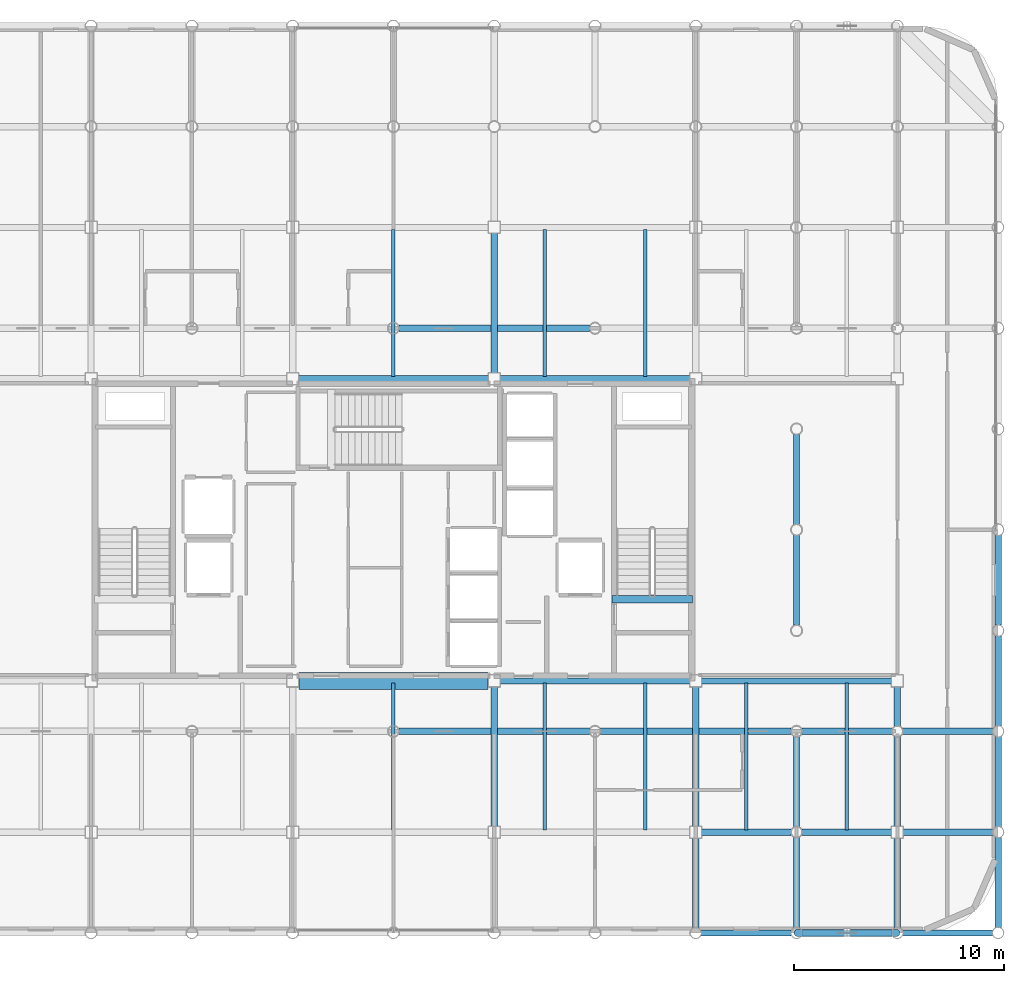
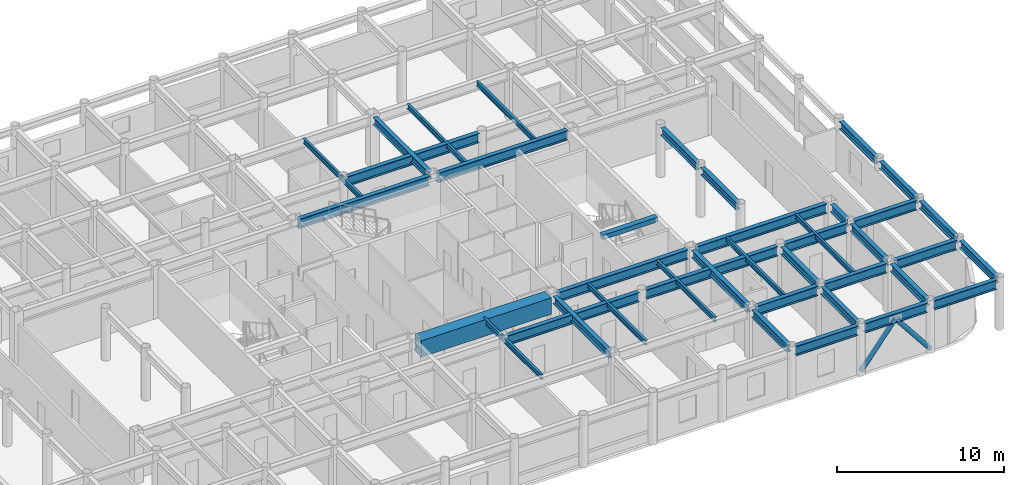
# One storey, part 9 of 22: 40 beams, 2 members.
"""IFC4 building model written with IfcOpenShell, lengths in metres."""

from ifc_helpers import new_model, si_unit, direction, frame, origin, origin_2d, place, context, subcontext, project, spatial, rectangle, hollow_circle, i_section, extrude, material, material_profile, profile_set, type_object, element, save


model = new_model("IFC4")

# Units and contexts
model_context = context("Model", 3, precision=1e-05, world=origin(), true_north=direction((0.0, 1.0)))
body_context = subcontext(model_context, "Body", "Model", "MODEL_VIEW")
ifc_project = project(units=[si_unit("LENGTHUNIT", "METRE"), si_unit("AREAUNIT", "SQUARE_METRE"), si_unit("VOLUMEUNIT", "CUBIC_METRE"), si_unit("PLANEANGLEUNIT", "RADIAN"), si_unit("MASSUNIT", "GRAM", prefix="KILO")], contexts=[model_context])

# Site, building, storey
site_placement = place(None, origin())
site = spatial("IfcSite", under=ifc_project, at=site_placement, CompositionType="ELEMENT")
building_placement = place(site_placement, origin())
building = spatial("IfcBuilding", under=site, at=building_placement, Name="Kallvorn Hotel Tower", CompositionType="ELEMENT")
storey_placement = place(building_placement, frame((0.0, 0.0, 253.10009765625)))
storey = spatial("IfcBuildingStorey", under=building, at=storey_placement, Name="L63", CompositionType="ELEMENT", Elevation=253.10009765625)

# Beams
ifc_material_1 = material(Name="Structural steel S355JR", Category="steel")
ifc_material_profile_1 = material_profile(ifc_material_1, i_section(OverallWidth=0.300048828125, OverallDepth=0.550048828125, WebThickness=0.014892578125, FlangeThickness=0.029052734375, at=origin_2d()), Name="HE 550 B")
ifc_profile_set_1 = profile_set([ifc_material_profile_1], Name="Structural steel S355JR")
beam_type_1 = type_object("IfcBeamType", Name="BM_HE550B", PredefinedType="SPANDREL", material=ifc_profile_set_1)
for number, where, z_axis, x_axis, name in (
    (1, (4.800048828125, -14.125, 3.39501953125), (0.0, 1.0, 0.0), (-1.0, 0.0, 0.0), "L64 Primary Y-Girder 115"),
    (2, (4.800048828125, 7.47509765625, 3.39501953125), (0.0, 1.0, 0.0), (-1.0, 0.0, 0.0), "L64 Primary Y-Girder 116"),
):
    element("IfcBeam", number, at=place(storey_placement, frame(where, z_axis=z_axis, x_axis=x_axis)), inside=storey, type_object=beam_type_1, Name=name, PredefinedType="SPANDREL", context=body_context, shape_type="SweptSolid", body=[
        extrude(i_section(OverallWidth=0.300048828125, OverallDepth=0.550048828125, WebThickness=0.014892578125, FlangeThickness=0.029052734375, at=origin_2d()), origin(), (0.0, 0.0, 1.0), 6.64990234375),
    ])
beam_1_placement = place(storey_placement, frame((14.39990234375, -18.945556640625, 3.39501953125), z_axis=(0.0, 1.0, 0.0), x_axis=(-1.0, 0.0, 0.0)))
element("IfcBeam", 3, at=beam_1_placement, inside=storey, type_object=beam_type_1, Name="L64 Primary Y-Girder 122", PredefinedType="SPANDREL", context=body_context, shape_type="SweptSolid", body=[
    extrude(i_section(OverallWidth=0.300048828125, OverallDepth=0.550048828125, WebThickness=0.014892578125, FlangeThickness=0.029052734375, at=origin_2d()), origin(), (0.0, 0.0, 1.0), 4.2705078125),
])
beam_2_placement = place(storey_placement, frame((14.39990234375, -14.125, 3.39501953125), z_axis=(0.0, 1.0, 0.0), x_axis=(-1.0, 0.0, 0.0)))
element("IfcBeam", 4, at=beam_2_placement, inside=storey, type_object=beam_type_1, Name="L64 Primary Y-Girder 123", PredefinedType="SPANDREL", context=body_context, shape_type="SweptSolid", body=[
    extrude(i_section(OverallWidth=0.300048828125, OverallDepth=0.550048828125, WebThickness=0.014892578125, FlangeThickness=0.029052734375, at=origin_2d()), origin(), (0.0, 0.0, 1.0), 6.64990234375),
])
for number, where, z_axis, x_axis, name in (
    (5, (19.199951171875, -18.945556640625, 3.39501953125), (0.0, 1.0, 0.0), (-1.0, 0.0, 0.0), "L64 Primary Y-Girder 127"),
    (6, (19.199951171875, -14.1455078125, 3.39501953125), (0.0, 1.0, 0.0), (-1.0, 0.0, 0.0), "L64 Primary Y-Girder 128"),
    (7, (19.199951171875, -4.54541015625, 3.39501953125), (0.0, 1.0, 0.0), (-1.0, 0.0, 0.0), "L64 Primary Y-Girder 130"),
    (8, (19.199951171875, 0.25439453125, 3.39501953125), (0.0, 1.0, 0.0), (-1.0, 0.0, 0.0), "L64 Primary Y-Girder 131"),
):
    element("IfcBeam", number, at=place(storey_placement, frame(where, z_axis=z_axis, x_axis=x_axis)), inside=storey, type_object=beam_type_1, Name=name, PredefinedType="SPANDREL", context=body_context, shape_type="SweptSolid", body=[
        extrude(i_section(OverallWidth=0.300048828125, OverallDepth=0.550048828125, WebThickness=0.014892578125, FlangeThickness=0.029052734375, at=origin_2d()), origin(), (0.0, 0.0, 1.0), 4.291015625),
    ])
for number, where, z_axis, x_axis, name in (
    (9, (24.0, -18.945556640625, 3.39501953125), (0.0, 1.0, 0.0), (-1.0, 0.0, 0.0), "L64 Primary Y-Girder 136"),
    (10, (24.0, -14.125, 3.39501953125), (0.0, 1.0, 0.0), (-1.0, 0.0, 0.0), "L64 Primary Y-Girder 137"),
):
    element("IfcBeam", number, at=place(storey_placement, frame(where, z_axis=z_axis, x_axis=x_axis)), inside=storey, type_object=beam_type_1, Name=name, PredefinedType="SPANDREL", context=body_context, shape_type="SweptSolid", body=[
        extrude(i_section(OverallWidth=0.300048828125, OverallDepth=0.550048828125, WebThickness=0.014892578125, FlangeThickness=0.029052734375, at=origin_2d()), origin(), (0.0, 0.0, 1.0), 4.2705078125),
    ])
beam_3_placement = place(storey_placement, frame((24.0, -9.345458984375, 3.39501953125), z_axis=(0.0, 1.0, 0.0), x_axis=(-1.0, 0.0, 0.0)))
element("IfcBeam", 11, at=beam_3_placement, inside=storey, type_object=beam_type_1, Name="L64 Primary Y-Girder 138", PredefinedType="SPANDREL", context=body_context, shape_type="SweptSolid", body=[
    extrude(i_section(OverallWidth=0.300048828125, OverallDepth=0.550048828125, WebThickness=0.014892578125, FlangeThickness=0.029052734375, at=origin_2d()), origin(), (0.0, 0.0, 1.0), 1.870361328125),
])
for number, where, z_axis, x_axis, name in (
    (12, (28.800048828125, -18.945556640625, 3.39501953125), (0.0, 1.0, 0.0), (-1.0, 0.0, 0.0), "L64 Primary Y-Girder 143"),
    (13, (28.800048828125, -14.1455078125, 3.39501953125), (0.0, 1.0, 0.0), (-1.0, 0.0, 0.0), "L64 Primary Y-Girder 144"),
    (14, (28.800048828125, -9.345458984375, 3.39501953125), (0.0, 1.0, 0.0), (-1.0, 0.0, 0.0), "L64 Primary Y-Girder 145"),
    (15, (28.800048828125, -4.54541015625, 3.39501953125), (0.0, 1.0, 0.0), (-1.0, 0.0, 0.0), "L64 Primary Y-Girder 146"),
):
    element("IfcBeam", number, at=place(storey_placement, frame(where, z_axis=z_axis, x_axis=x_axis)), inside=storey, type_object=beam_type_1, Name=name, PredefinedType="SPANDREL", context=body_context, shape_type="SweptSolid", body=[
        extrude(i_section(OverallWidth=0.300048828125, OverallDepth=0.550048828125, WebThickness=0.014892578125, FlangeThickness=0.029052734375, at=origin_2d()), origin(), (0.0, 0.0, 1.0), 4.291015625),
    ])
ifc_material_2 = material(Name="Structural steel S355JR", Category="steel")
ifc_material_profile_2 = material_profile(ifc_material_2, i_section(OverallWidth=0.300048828125, OverallDepth=0.699951171875, WebThickness=0.01708984375, FlangeThickness=0.031982421875, at=origin_2d()), Name="HE 700 B")
ifc_profile_set_2 = profile_set([ifc_material_profile_2], Name="Structural steel S355JR")
beam_type_2 = type_object("IfcBeamType", Name="BM_HE700B", PredefinedType="BEAM", material=ifc_profile_set_2)
for number, where, z_axis, x_axis, name in (
    (16, (14.654541015625, -19.199951171875, 3.31982421875), (1.0, 0.0, 0.0), (0.0, 1.0, 0.0), "L64 Primary X-Girder 10"),
    (17, (19.45458984375, -19.199951171875, 3.31982421875), (1.0, 0.0, 0.0), (0.0, 1.0, 0.0), "L64 Primary X-Girder 11"),
    (18, (24.25439453125, -19.199951171875, 3.31982421875), (1.0, 0.0, 0.0), (0.0, 1.0, 0.0), "L64 Primary X-Girder 12"),
):
    element("IfcBeam", number, at=place(storey_placement, frame(where, z_axis=z_axis, x_axis=x_axis)), inside=storey, type_object=beam_type_2, Name=name, PredefinedType="BEAM", context=body_context, shape_type="SweptSolid", body=[
        extrude(i_section(OverallWidth=0.300048828125, OverallDepth=0.699951171875, WebThickness=0.01708984375, FlangeThickness=0.031982421875, at=origin_2d()), origin(), (0.0, 0.0, 1.0), 4.291015625),
    ])
for number, where, z_axis, x_axis, name in (
    (19, (14.675048828125, -14.39990234375, 3.31982421875), (1.0, 0.0, 0.0), (0.0, 1.0, 0.0), "L64 Primary X-Girder 20"),
    (20, (19.45458984375, -14.39990234375, 3.31982421875), (1.0, 0.0, 0.0), (0.0, 1.0, 0.0), "L64 Primary X-Girder 21"),
    (21, (24.27490234375, -14.39990234375, 3.31982421875), (1.0, 0.0, 0.0), (0.0, 1.0, 0.0), "L64 Primary X-Girder 22"),
):
    element("IfcBeam", number, at=place(storey_placement, frame(where, z_axis=z_axis, x_axis=x_axis)), inside=storey, type_object=beam_type_2, Name=name, PredefinedType="BEAM", context=body_context, shape_type="SweptSolid", body=[
        extrude(i_section(OverallWidth=0.300048828125, OverallDepth=0.699951171875, WebThickness=0.01708984375, FlangeThickness=0.031982421875, at=origin_2d()), origin(), (0.0, 0.0, 1.0), 4.2705078125),
    ])
for number, where, z_axis, x_axis, name in (
    (22, (0.25439453125, -9.60009765625, 3.31982421875), (1.0, 0.0, 0.0), (0.0, 1.0, 0.0), "L64 Primary X-Girder 28"),
    (23, (9.8544921875, -9.60009765625, 3.31982421875), (1.0, 0.0, 0.0), (0.0, 1.0, 0.0), "L64 Primary X-Girder 29"),
):
    element("IfcBeam", number, at=place(storey_placement, frame(where, z_axis=z_axis, x_axis=x_axis)), inside=storey, type_object=beam_type_2, Name=name, PredefinedType="BEAM", context=body_context, shape_type="SweptSolid", body=[
        extrude(i_section(OverallWidth=0.300048828125, OverallDepth=0.699951171875, WebThickness=0.01708984375, FlangeThickness=0.031982421875, at=origin_2d()), origin(), (0.0, 0.0, 1.0), 9.091064453125),
    ])
for number, where, z_axis, x_axis, name in (
    (24, (19.45458984375, -9.60009765625, 3.31982421875), (1.0, 0.0, 0.0), (0.0, 1.0, 0.0), "L64 Primary X-Girder 30"),
    (25, (24.25439453125, -9.60009765625, 3.31982421875), (1.0, 0.0, 0.0), (0.0, 1.0, 0.0), "L64 Primary X-Girder 31"),
):
    element("IfcBeam", number, at=place(storey_placement, frame(where, z_axis=z_axis, x_axis=x_axis)), inside=storey, type_object=beam_type_2, Name=name, PredefinedType="BEAM", context=body_context, shape_type="SweptSolid", body=[
        extrude(i_section(OverallWidth=0.300048828125, OverallDepth=0.699951171875, WebThickness=0.01708984375, FlangeThickness=0.031982421875, at=origin_2d()), origin(), (0.0, 0.0, 1.0), 4.291015625),
    ])
for number, where, z_axis, x_axis, name in (
    (26, (5.074951171875, -7.199951171875, 3.31982421875), (1.0, 0.0, 0.0), (0.0, 1.0, 0.0), "L64 Primary X-Girder 34"),
    (27, (14.675048828125, -7.199951171875, 3.31982421875), (1.0, 0.0, 0.0), (0.0, 1.0, 0.0), "L64 Primary X-Girder 35"),
):
    element("IfcBeam", number, at=place(storey_placement, frame(where, z_axis=z_axis, x_axis=x_axis)), inside=storey, type_object=beam_type_2, Name=name, PredefinedType="BEAM", context=body_context, shape_type="SweptSolid", body=[
        extrude(i_section(OverallWidth=0.300048828125, OverallDepth=0.699951171875, WebThickness=0.01708984375, FlangeThickness=0.031982421875, at=origin_2d()), origin(), (0.0, 0.0, 1.0), 9.050048828125),
    ])
beam_4_placement = place(storey_placement, frame((-4.52490234375, 7.199951171875, 3.31982421875), z_axis=(1.0, 0.0, 0.0), x_axis=(0.0, 1.0, 0.0)))
element("IfcBeam", 28, at=beam_4_placement, inside=storey, type_object=beam_type_2, Name="L64 Primary X-Girder 38", PredefinedType="BEAM", context=body_context, shape_type="SweptSolid", body=[
    extrude(i_section(OverallWidth=0.300048828125, OverallDepth=0.699951171875, WebThickness=0.01708984375, FlangeThickness=0.031982421875, at=origin_2d()), origin(), (0.0, 0.0, 1.0), 9.0498046875),
])
beam_5_placement = place(storey_placement, frame((5.074951171875, 7.199951171875, 3.31982421875), z_axis=(1.0, 0.0, 0.0), x_axis=(0.0, 1.0, 0.0)))
element("IfcBeam", 29, at=beam_5_placement, inside=storey, type_object=beam_type_2, Name="L64 Primary X-Girder 39", PredefinedType="BEAM", context=body_context, shape_type="SweptSolid", body=[
    extrude(i_section(OverallWidth=0.300048828125, OverallDepth=0.699951171875, WebThickness=0.01708984375, FlangeThickness=0.031982421875, at=origin_2d()), origin(), (0.0, 0.0, 1.0), 9.050048828125),
])
beam_6_placement = place(storey_placement, frame((0.25439453125, 9.60009765625, 3.31982421875), z_axis=(1.0, 0.0, 0.0), x_axis=(0.0, 1.0, 0.0)))
element("IfcBeam", 30, at=beam_6_placement, inside=storey, type_object=beam_type_2, Name="L64 Primary X-Girder 46", PredefinedType="BEAM", context=body_context, shape_type="SweptSolid", body=[
    extrude(i_section(OverallWidth=0.300048828125, OverallDepth=0.699951171875, WebThickness=0.01708984375, FlangeThickness=0.031982421875, at=origin_2d()), origin(), (0.0, 0.0, 1.0), 9.091064453125),
])
ifc_material_3 = material(Name="Structural steel S355JR", Category="steel")
ifc_material_profile_3 = material_profile(ifc_material_3, i_section(OverallWidth=0.169921875, OverallDepth=0.360107421875, WebThickness=0.008056640625, FlangeThickness=0.0126953125, at=origin_2d()), Name="IPE 360")
ifc_profile_set_3 = profile_set([ifc_material_profile_3], Name="Structural steel S355JR")
beam_type_3 = type_object("IfcBeamType", Name="BM_IPE360", PredefinedType="JOIST", material=ifc_profile_set_3)
for number, where, z_axis, x_axis, name in (
    (31, (0.0, -14.300048828125, 3.489990234375), (0.0, 1.0, 0.0), (-1.0, 0.0, 0.0), "L64 Secondary Composite Joist 200"),
    (32, (0.0, 7.300048828125, 3.489990234375), (0.0, 1.0, 0.0), (-1.0, 0.0, 0.0), "L64 Secondary Composite Joist 201"),
    (33, (7.199951171875, -14.300048828125, 3.489990234375), (0.0, 1.0, 0.0), (-1.0, 0.0, 0.0), "L64 Secondary Composite Joist 202"),
    (34, (7.199951171875, 7.300048828125, 3.489990234375), (0.0, 1.0, 0.0), (-1.0, 0.0, 0.0), "L64 Secondary Composite Joist 203"),
    (35, (12.0, -14.300048828125, 3.489990234375), (0.0, 1.0, 0.0), (-1.0, 0.0, 0.0), "L64 Secondary Composite Joist 204"),
    (36, (12.0, 7.300048828125, 3.489990234375), (0.0, 1.0, 0.0), (-1.0, 0.0, 0.0), "L64 Secondary Composite Joist 205"),
    (37, (16.800048828125, -14.300048828125, 3.489990234375), (0.0, 1.0, 0.0), (-1.0, 0.0, 0.0), "L64 Secondary Composite Joist 206"),
    (38, (21.60009765625, -14.300048828125, 3.489990234375), (0.0, 1.0, 0.0), (-1.0, 0.0, 0.0), "L64 Secondary Composite Joist 208"),
):
    element("IfcBeam", number, at=place(storey_placement, frame(where, z_axis=z_axis, x_axis=x_axis)), inside=storey, type_object=beam_type_3, Name=name, PredefinedType="JOIST", context=body_context, shape_type="SweptSolid", body=[
        extrude(i_section(OverallWidth=0.169921875, OverallDepth=0.360107421875, WebThickness=0.008056640625, FlangeThickness=0.0126953125, at=origin_2d()), origin(), (0.0, 0.0, 1.0), 7.0),
    ])
ifc_material_4 = material(Name="Concrete C50/60", Category="concrete")
ifc_material_profile_4 = material_profile(ifc_material_4, rectangle(XDim=0.360107421875, YDim=0.340087890625, at=origin_2d()), Name="RC 360x340")
ifc_profile_set_4 = profile_set([ifc_material_profile_4], Name="Concrete C50/60")
beam_type_4 = type_object("IfcBeamType", Name="BM_RC_400x360", PredefinedType="BEAM", material=ifc_profile_set_4)
beam_7_placement = place(storey_placement, frame((14.239990234375, -3.31005859375, 3.5), z_axis=(-1.0, 0.0, 0.0), x_axis=(0.0, -1.0, 0.0)))
element("IfcBeam", 39, at=beam_7_placement, inside=storey, type_object=beam_type_4, Name="L64 Stair ST2 Arrival Trimmer Beam", PredefinedType="BEAM", context=body_context, shape_type="SweptSolid", body=[
    extrude(rectangle(XDim=0.360107421875, YDim=0.340087890625, at=origin_2d()), origin(), (0.0, 0.0, 1.0), 3.820068359375),
])
ifc_material_5 = material(Name="Concrete C50/60", Category="concrete")
ifc_material_profile_5 = material_profile(ifc_material_5, rectangle(XDim=0.800048828125, YDim=1.199951171875, at=origin_2d()), Name="RC 800x1200")
ifc_profile_set_5 = profile_set([ifc_material_profile_5], Name="Concrete C50/60")
beam_type_5 = type_object("IfcBeamType", Name="BM_RC_800x1200", PredefinedType="T_BEAM", material=ifc_profile_set_5)
beam_8_placement = place(storey_placement, frame((-4.5, -7.199951171875, 3.06982421875), z_axis=(1.0, 0.0, 0.0), x_axis=(0.0, 1.0, 0.0)))
element("IfcBeam", 40, at=beam_8_placement, inside=storey, type_object=beam_type_5, Name="L63 Core Coupling Beam South", PredefinedType="T_BEAM", context=body_context, shape_type="SweptSolid", body=[
    extrude(rectangle(XDim=0.800048828125, YDim=1.199951171875, at=origin_2d()), origin(), (0.0, 0.0, 1.0), 9.0),
])

# Members
ifc_material_6 = material(Name="Structural steel S355J2H", Category="steel")
ifc_material_profile_6 = material_profile(ifc_material_6, hollow_circle(Radius=0.161865234375, WallThickness=0.012451171875, at=origin_2d()), Name="CHS 323.9x12.5")
ifc_profile_set_6 = profile_set([ifc_material_profile_6], Name="Structural steel S355J2H")
member_type = type_object("IfcMemberType", Name="MBR_EXO_CHS323", PredefinedType="BRACE", material=ifc_profile_set_6)
for number, where, z_axis, x_axis, name in (
    (41, (19.21240234375, -19.199951171875, 0.195556640625), (0.620928510901, 0.0, 0.783867198159), (0.0, 1.0, 0.0), "L63 Exoskeleton K-Brace S2A"),
    (42, (23.987548828125, -19.199951171875, 0.195556640625), (-0.620928510901, 0.0, 0.783867198159), (0.0, -1.0, 0.0), "L63 Exoskeleton K-Brace S2B"),
):
    element("IfcMember", number, at=place(storey_placement, frame(where, z_axis=z_axis, x_axis=x_axis)), inside=storey, type_object=member_type, Name=name, PredefinedType="BRACE", context=body_context, shape_type="SweptSolid", body=[
        extrude(hollow_circle(Radius=0.161865234375, WallThickness=0.012451171875, at=origin_2d()), origin(), (0.0, 0.0, 1.0), 3.8251953125),
    ])

save(model, "model.ifc")
